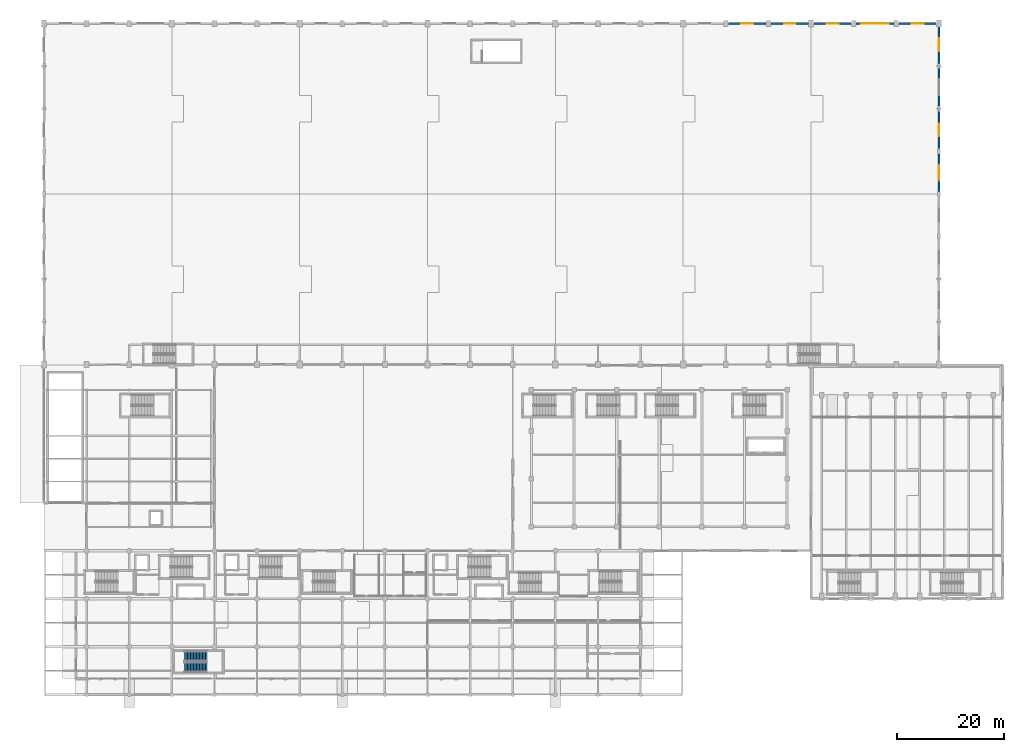
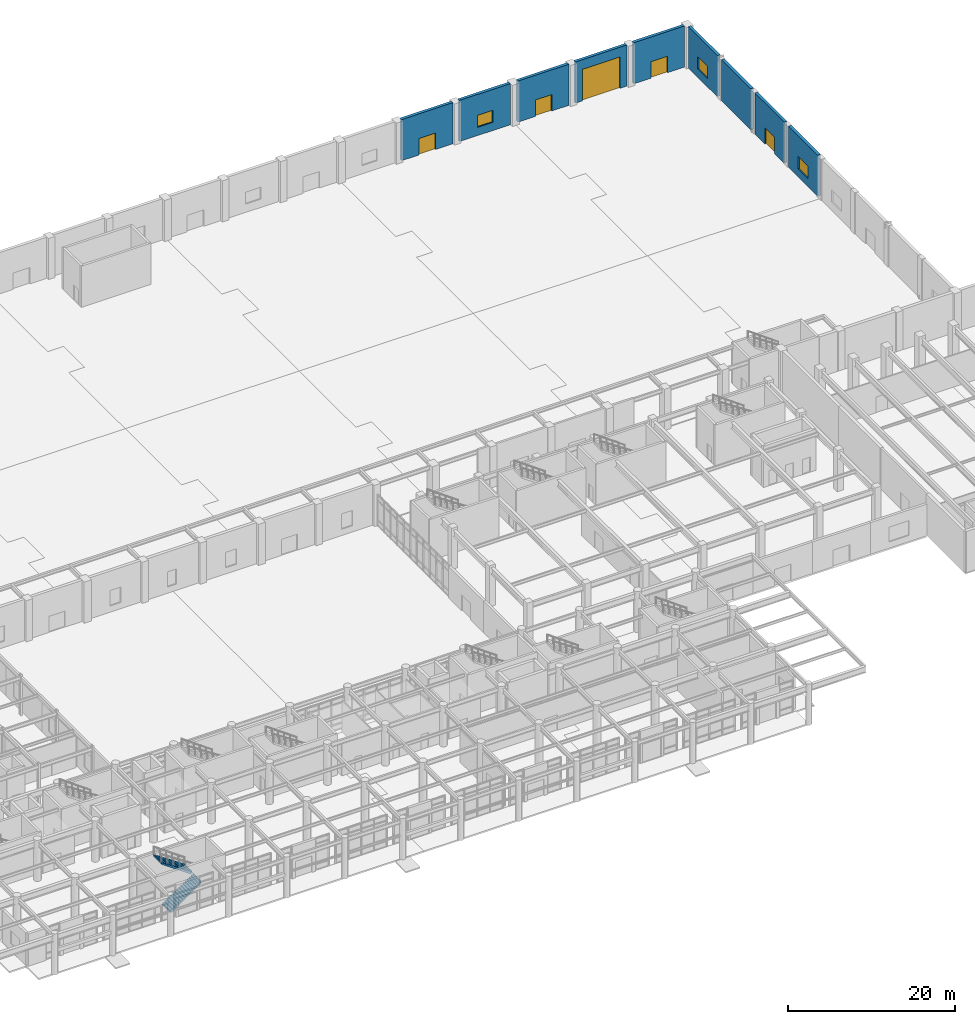
# One storey, part 37 of 49: 9 walls, 5 doors, 3 windows, 2 stair flights, 8 openings, 1 element without a shape of its own.
"""IFC4 building model written with IfcOpenShell, lengths in metres."""

from ifc_helpers import new_model, si_unit, direction, frame, frame_2d, origin, place, context, subcontext, project, spatial, polyline, rectangle, outline, extrude, material, layer, layer_set, type_object, element, fill, aggregate, save


model = new_model("IFC4")

# Units and contexts
model_context = context("Model", 3, precision=1e-05, world=origin(), true_north=direction((0.0, 1.0)))
body_context = subcontext(model_context, "Body", "Model", "MODEL_VIEW")
ifc_project = project(units=[si_unit("LENGTHUNIT", "METRE"), si_unit("AREAUNIT", "SQUARE_METRE"), si_unit("VOLUMEUNIT", "CUBIC_METRE"), si_unit("PLANEANGLEUNIT", "RADIAN"), si_unit("MASSUNIT", "GRAM", prefix="KILO")], contexts=[model_context])

# Site, building, storey
site_placement = place(None, origin())
site = spatial("IfcSite", under=ifc_project, at=site_placement, CompositionType="ELEMENT")
building_placement = place(site_placement, origin())
building = spatial("IfcBuilding", under=site, at=building_placement, Name="Tlacozan Convention Centre", CompositionType="ELEMENT")
storey_placement = place(building_placement, origin())
storey = spatial("IfcBuildingStorey", under=building, at=storey_placement, Name="L00", CompositionType="ELEMENT", Elevation=0.0)

# Wall, opening, door
ifc_material_1 = material(Name="Concrete C40/50", Category="concrete")
ifc_layer = layer(ifc_material_1, 0.39990234375)
ifc_layer_set = layer_set([ifc_layer], Name="Concrete C40/50")
wall_type = type_object("IfcWallType", Name="Cantera Structural Hall Wall 400", PredefinedType="SOLIDWALL", material=ifc_layer_set)
wall_1_placement = place(storey_placement, frame((128.465087890625, 126.0, 0.0), z_axis=(0.0, 0.0, 1.0), x_axis=(1.0, 0.0, 0.0)))
wall_1 = element("IfcWall", 1, at=wall_1_placement, inside=storey, type_object=wall_type, Name="L00 Cantera Structural Hall Wall 400 45", PredefinedType="SOLIDWALL", context=body_context, shape_type="SweptSolid", body=[
    extrude(rectangle(XDim=7.06982421875, YDim=0.39990234375, at=frame_2d((3.534912109375, 0.0))), origin(), (0.0, 0.0, 1.0), 6.0),
])
opening_1_placement = place(wall_1_placement, frame((2.39990234375, 0.0, 0.0)))
opening_1 = element("IfcOpeningElement", 2, at=opening_1_placement, cuts=wall_1, Name="Opening EX-D1", PredefinedType="OPENING", context=body_context, shape_type="SweptSolid", body=[
    extrude(rectangle(XDim=2.300048828125, YDim=2.39990234375, at=frame_2d((1.14990234375, 1.199951171875))), frame((0.0, 0.2099609375, 0.0), z_axis=(0.0, -1.0, 0.0), x_axis=(1.0, 0.0, 0.0)), (0.0, 0.0, 1.0), 0.419921875),
])
ifc_material_2 = material(Name="Thermally Broken Anodised Aluminium Door", Category="aluminium")
door_type_1 = type_object("IfcDoorType", Name="Pedestrian Final Exit Double Door 2300x2400", OperationType="DOUBLE_DOOR_SINGLE_SWING", PredefinedType="DOOR", material=ifc_material_2)
door_1_placement = place(opening_1_placement, origin())
door_1 = element("IfcDoor", 3, at=door_1_placement, inside=storey, type_object=door_type_1, Name="Final Pedestrian Exit EX-08", OperationType="DOUBLE_DOOR_SINGLE_SWING", OverallHeight=2.39990234375, OverallWidth=2.300048828125, PredefinedType="DOOR", context=body_context, shape_type="SweptSolid", body=[
    extrude(rectangle(XDim=2.300048828125, YDim=2.39990234375, at=frame_2d((1.14990234375, 1.199951171875))), frame((0.0, 0.02490234375, 0.0), z_axis=(0.0, -1.0, 0.0), x_axis=(1.0, 0.0, 0.0)), (0.0, 0.0, 1.0), 0.050048828125),
])
fill(opening_1, door_1)

# Wall, opening, window
wall_2_placement = place(storey_placement, frame((136.465087890625, 126.0, 0.0), z_axis=(0.0, 0.0, 1.0), x_axis=(1.0, 0.0, 0.0)))
wall_2 = element("IfcWall", 4, at=wall_2_placement, inside=storey, type_object=wall_type, Name="L00 Cantera Structural Hall Wall 400 47", PredefinedType="SOLIDWALL", context=body_context, shape_type="SweptSolid", body=[
    extrude(rectangle(XDim=7.02001953125, YDim=0.39990234375, at=frame_2d((3.510009765625, 0.0))), origin(), (0.0, 0.0, 1.0), 6.0),
])
opening_2_placement = place(wall_2_placement, frame((2.5, 0.0, 1.199951171875)))
opening_2 = element("IfcOpeningElement", 5, at=opening_2_placement, cuts=wall_2, Name="Opening WN-05", PredefinedType="OPENING", context=body_context, shape_type="SweptSolid", body=[
    extrude(rectangle(XDim=2.10009765625, YDim=1.75, at=frame_2d((1.050048828125, 0.875))), frame((0.0, 0.2099609375, 0.0), z_axis=(0.0, -1.0, 0.0), x_axis=(1.0, 0.0, 0.0)), (0.0, 0.0, 1.0), 0.419921875),
])
ifc_material_3 = material(Name="Solar Control Double Low-E Argon Glazing", Category="glass")
window_type_1 = type_object("IfcWindowType", Name="Exhibition Hall Gallery Window 2100x1750", PartitioningType="SINGLE_PANEL", PredefinedType="WINDOW", material=ifc_material_3)
window_1_placement = place(opening_2_placement, origin())
window_1 = element("IfcWindow", 6, at=window_1_placement, inside=storey, type_object=window_type_1, Name="L00 Exhibition Hall Gallery Window 2100x1750 18", OverallHeight=1.75, OverallWidth=2.10009765625, PartitioningType="SINGLE_PANEL", PredefinedType="WINDOW", context=body_context, shape_type="SweptSolid", body=[
    extrude(rectangle(XDim=2.10009765625, YDim=1.75, at=frame_2d((1.050048828125, 0.875))), frame((0.0, 0.030029296875, 0.0), z_axis=(0.0, -1.0, 0.0), x_axis=(1.0, 0.0, 0.0)), (0.0, 0.0, 1.0), 0.06005859375),
])
fill(opening_2, window_1)

# Wall, opening, door
wall_3_placement = place(storey_placement, frame((144.514892578125, 126.0, 0.0), z_axis=(0.0, 0.0, 1.0), x_axis=(1.0, 0.0, 0.0)))
wall_3 = element("IfcWall", 7, at=wall_3_placement, inside=storey, type_object=wall_type, Name="L00 Cantera Structural Hall Wall 400 49", PredefinedType="SOLIDWALL", context=body_context, shape_type="SweptSolid", body=[
    extrude(rectangle(XDim=7.02001953125, YDim=0.39990234375, at=frame_2d((3.510009765625, 0.0))), origin(), (0.0, 0.0, 1.0), 6.0),
])
opening_3_placement = place(wall_3_placement, frame((2.39990234375, 0.0, 0.0)))
opening_3 = element("IfcOpeningElement", 8, at=opening_3_placement, cuts=wall_3, Name="Opening EX-D1", PredefinedType="OPENING", context=body_context, shape_type="SweptSolid", body=[
    extrude(rectangle(XDim=2.300048828125, YDim=2.39990234375, at=frame_2d((1.14990234375, 1.199951171875))), frame((0.0, 0.2099609375, 0.0), z_axis=(0.0, -1.0, 0.0), x_axis=(1.0, 0.0, 0.0)), (0.0, 0.0, 1.0), 0.419921875),
])
door_2_placement = place(opening_3_placement, origin())
door_2 = element("IfcDoor", 9, at=door_2_placement, inside=storey, type_object=door_type_1, Name="Final Pedestrian Exit EX-09", OperationType="DOUBLE_DOOR_SINGLE_SWING", OverallHeight=2.39990234375, OverallWidth=2.300048828125, PredefinedType="DOOR", context=body_context, shape_type="SweptSolid", body=[
    extrude(rectangle(XDim=2.300048828125, YDim=2.39990234375, at=frame_2d((1.14990234375, 1.199951171875))), frame((0.0, 0.02490234375, 0.0), z_axis=(0.0, -1.0, 0.0), x_axis=(1.0, 0.0, 0.0)), (0.0, 0.0, 1.0), 0.050048828125),
])
fill(opening_3, door_2)

wall_4_placement = place(storey_placement, frame((152.465087890625, 126.0, 0.0), z_axis=(0.0, 0.0, 1.0), x_axis=(1.0, 0.0, 0.0)))
wall_4 = element("IfcWall", 10, at=wall_4_placement, inside=storey, type_object=wall_type, Name="L00 Cantera Structural Hall Wall 400 51", PredefinedType="SOLIDWALL", context=body_context, shape_type="SweptSolid", body=[
    extrude(rectangle(XDim=7.06982421875, YDim=0.39990234375, at=frame_2d((3.534912109375, 0.0))), origin(), (0.0, 0.0, 1.0), 6.0),
])
opening_4_placement = place(wall_4_placement, frame((0.949951171875, 0.0, 0.0)))
opening_4 = element("IfcOpeningElement", 11, at=opening_4_placement, cuts=wall_4, Name="Opening FG-02", PredefinedType="OPENING", context=body_context, shape_type="SweptSolid", body=[
    extrude(rectangle(XDim=5.199951171875, YDim=4.60009765625, at=frame_2d((2.60009765625, 2.300048828125))), frame((0.0, 0.2099609375, 0.0), z_axis=(0.0, -1.0, 0.0), x_axis=(1.0, 0.0, 0.0)), (0.0, 0.0, 1.0), 0.419921875),
])
ifc_material_4 = material(Name="Insulated Galvanised Roller Shutter Leaf")
door_type_2 = type_object("IfcDoorType", Name="Exhibition Oversize Freight Gate 5200x4600", OperationType="ROLLINGUP", PredefinedType="GATE", material=ifc_material_4)
door_3_placement = place(opening_4_placement, origin())
door_3 = element("IfcDoor", 12, at=door_3_placement, inside=storey, type_object=door_type_2, Name="L00 Exhibition Oversize Freight Gate 5200x4600 2", OperationType="ROLLINGUP", OverallHeight=4.60009765625, OverallWidth=5.199951171875, PredefinedType="GATE", context=body_context, shape_type="SweptSolid", body=[
    extrude(rectangle(XDim=5.199951171875, YDim=4.60009765625, at=frame_2d((2.60009765625, 2.300048828125))), frame((0.0, 0.02490234375, 0.0), z_axis=(0.0, -1.0, 0.0), x_axis=(1.0, 0.0, 0.0)), (0.0, 0.0, 1.0), 0.050048828125),
])
fill(opening_4, door_3)

wall_5_placement = place(storey_placement, frame((160.465087890625, 126.0, 0.0), z_axis=(0.0, 0.0, 1.0), x_axis=(1.0, 0.0, 0.0)))
wall_5 = element("IfcWall", 13, at=wall_5_placement, inside=storey, type_object=wall_type, Name="L00 Cantera Structural Hall Wall 400 53", PredefinedType="SOLIDWALL", context=body_context, shape_type="SweptSolid", body=[
    extrude(rectangle(XDim=7.02001953125, YDim=0.39990234375, at=frame_2d((3.510009765625, 0.0))), origin(), (0.0, 0.0, 1.0), 6.0),
])
opening_5_placement = place(wall_5_placement, frame((2.39990234375, 0.0, 0.0)))
opening_5 = element("IfcOpeningElement", 14, at=opening_5_placement, cuts=wall_5, Name="Opening EX-D1", PredefinedType="OPENING", context=body_context, shape_type="SweptSolid", body=[
    extrude(rectangle(XDim=2.300048828125, YDim=2.39990234375, at=frame_2d((1.14990234375, 1.199951171875))), frame((0.0, 0.2099609375, 0.0), z_axis=(0.0, -1.0, 0.0), x_axis=(1.0, 0.0, 0.0)), (0.0, 0.0, 1.0), 0.419921875),
])
door_4_placement = place(opening_5_placement, origin())
door_4 = element("IfcDoor", 15, at=door_4_placement, inside=storey, type_object=door_type_1, Name="Final Pedestrian Exit EX-10", OperationType="DOUBLE_DOOR_SINGLE_SWING", OverallHeight=2.39990234375, OverallWidth=2.300048828125, PredefinedType="DOOR", context=body_context, shape_type="SweptSolid", body=[
    extrude(rectangle(XDim=2.300048828125, YDim=2.39990234375, at=frame_2d((1.14990234375, 1.199951171875))), frame((0.0, 0.02490234375, 0.0), z_axis=(0.0, -1.0, 0.0), x_axis=(1.0, 0.0, 0.0)), (0.0, 0.0, 1.0), 0.050048828125),
])
fill(opening_5, door_4)

# Wall, opening, window
wall_6_placement = place(storey_placement, frame((168.0, 94.5, 0.0), z_axis=(0.0, 0.0, 1.0), x_axis=(0.0, 1.0, 0.0)))
wall_6 = element("IfcWall", 16, at=wall_6_placement, inside=storey, type_object=wall_type, Name="L00 Cantera Structural Hall Wall 400 79", PredefinedType="SOLIDWALL", context=body_context, shape_type="SweptSolid", body=[
    extrude(rectangle(XDim=7.0, YDim=0.39990234375, at=frame_2d((3.5, 0.0))), origin(), (0.0, 0.0, 1.0), 6.0),
])
opening_6_placement = place(wall_6_placement, frame((2.300048828125, 0.0, 1.199951171875)))
opening_6 = element("IfcOpeningElement", 17, at=opening_6_placement, cuts=wall_6, Name="Opening WN-04", PredefinedType="OPENING", context=body_context, shape_type="SweptSolid", body=[
    extrude(rectangle(XDim=2.39990234375, YDim=1.800048828125, at=frame_2d((1.199951171875, 0.89990234375))), frame((0.0, 0.2099609375, 0.0), z_axis=(0.0, -1.0, 0.0), x_axis=(1.0, 0.0, 0.0)), (0.0, 0.0, 1.0), 0.419921875),
])
window_type_2 = type_object("IfcWindowType", Name="Exhibition Gable Vision Window 2400x1800", PartitioningType="SINGLE_PANEL", PredefinedType="WINDOW", material=ifc_material_3)
window_2_placement = place(opening_6_placement, origin())
window_2 = element("IfcWindow", 18, at=window_2_placement, inside=storey, type_object=window_type_2, Name="L00 Exhibition Gable Vision Window 2400x1800 36", OverallHeight=1.800048828125, OverallWidth=2.39990234375, PartitioningType="SINGLE_PANEL", PredefinedType="WINDOW", context=body_context, shape_type="SweptSolid", body=[
    extrude(rectangle(XDim=2.39990234375, YDim=1.800048828125, at=frame_2d((1.199951171875, 0.89990234375))), frame((0.0, 0.030029296875, 0.0), z_axis=(0.0, -1.0, 0.0), x_axis=(1.0, 0.0, 0.0)), (0.0, 0.0, 1.0), 0.06005859375),
])
fill(opening_6, window_2)

# Wall, opening, door
wall_7_placement = place(storey_placement, frame((168.0, 102.5, 0.0), z_axis=(0.0, 0.0, 1.0), x_axis=(0.0, 1.0, 0.0)))
wall_7 = element("IfcWall", 19, at=wall_7_placement, inside=storey, type_object=wall_type, Name="L00 Cantera Structural Hall Wall 400 81", PredefinedType="SOLIDWALL", context=body_context, shape_type="SweptSolid", body=[
    extrude(rectangle(XDim=7.0, YDim=0.39990234375, at=frame_2d((3.5, 0.0))), origin(), (0.0, 0.0, 1.0), 6.0),
])
opening_7_placement = place(wall_7_placement, frame((2.35009765625, 0.0, 0.0)))
opening_7 = element("IfcOpeningElement", 20, at=opening_7_placement, cuts=wall_7, Name="Opening EX-D1", PredefinedType="OPENING", context=body_context, shape_type="SweptSolid", body=[
    extrude(rectangle(XDim=2.300048828125, YDim=2.39990234375, at=frame_2d((1.14990234375, 1.199951171875))), frame((0.0, 0.2099609375, 0.0), z_axis=(0.0, -1.0, 0.0), x_axis=(1.0, 0.0, 0.0)), (0.0, 0.0, 1.0), 0.419921875),
])
door_5_placement = place(opening_7_placement, frame((2.300048828125, 0.0, 0.0), z_axis=(0.0, 0.0, 1.0), x_axis=(-1.0, 0.0, 0.0)))
door_5 = element("IfcDoor", 21, at=door_5_placement, inside=storey, type_object=door_type_1, Name="Final Pedestrian Exit EX-14", OperationType="DOUBLE_DOOR_SINGLE_SWING", OverallHeight=2.39990234375, OverallWidth=2.300048828125, PredefinedType="DOOR", context=body_context, shape_type="SweptSolid", body=[
    extrude(rectangle(XDim=2.300048828125, YDim=2.39990234375, at=frame_2d((1.14990234375, 1.199951171875))), frame((0.0, 0.02490234375, 0.0), z_axis=(0.0, -1.0, 0.0), x_axis=(1.0, 0.0, 0.0)), (0.0, 0.0, 1.0), 0.050048828125),
])
fill(opening_7, door_5)

# Wall
wall_8_placement = place(storey_placement, frame((168.0, 110.5, 0.0), z_axis=(0.0, 0.0, 1.0), x_axis=(0.0, 1.0, 0.0)))
element("IfcWall", 22, at=wall_8_placement, inside=storey, type_object=wall_type, Name="L00 Cantera Structural Hall Wall 400 83", PredefinedType="SOLIDWALL", context=body_context, shape_type="SweptSolid", body=[
    extrude(rectangle(XDim=7.0, YDim=0.39990234375, at=frame_2d((3.5, 0.0))), origin(), (0.0, 0.0, 1.0), 6.0),
])

# Wall, opening, window
wall_9_placement = place(storey_placement, frame((168.0, 118.5, 0.0), z_axis=(0.0, 0.0, 1.0), x_axis=(0.0, 1.0, 0.0)))
wall_9 = element("IfcWall", 23, at=wall_9_placement, inside=storey, type_object=wall_type, Name="L00 Cantera Structural Hall Wall 400 85", PredefinedType="SOLIDWALL", context=body_context, shape_type="SweptSolid", body=[
    extrude(rectangle(XDim=7.0, YDim=0.39990234375, at=frame_2d((3.5, 0.0))), origin(), (0.0, 0.0, 1.0), 6.0),
])
opening_8_placement = place(wall_9_placement, frame((2.300048828125, 0.0, 1.199951171875)))
opening_8 = element("IfcOpeningElement", 24, at=opening_8_placement, cuts=wall_9, Name="Opening WN-04", PredefinedType="OPENING", context=body_context, shape_type="SweptSolid", body=[
    extrude(rectangle(XDim=2.39990234375, YDim=1.800048828125, at=frame_2d((1.199951171875, 0.89990234375))), frame((0.0, 0.2099609375, 0.0), z_axis=(0.0, -1.0, 0.0), x_axis=(1.0, 0.0, 0.0)), (0.0, 0.0, 1.0), 0.419921875),
])
window_3_placement = place(opening_8_placement, origin())
window_3 = element("IfcWindow", 25, at=window_3_placement, inside=storey, type_object=window_type_2, Name="L00 Exhibition Gable Vision Window 2400x1800 39", OverallHeight=1.800048828125, OverallWidth=2.39990234375, PartitioningType="SINGLE_PANEL", PredefinedType="WINDOW", context=body_context, shape_type="SweptSolid", body=[
    extrude(rectangle(XDim=2.39990234375, YDim=1.800048828125, at=frame_2d((1.199951171875, 0.89990234375))), frame((0.0, 0.030029296875, 0.0), z_axis=(0.0, -1.0, 0.0), x_axis=(1.0, 0.0, 0.0)), (0.0, 0.0, 1.0), 0.06005859375),
])
fill(opening_8, window_3)

# Stair, stair flights
stair_type = type_object("IfcStairType", Name="Protected Dogleg Stair W188 H60", PredefinedType="HALF_TURN_STAIR", material=ifc_material_1)
stair_placement = place(storey_placement, origin())
stair = element("IfcStair", 26, at=stair_placement, inside=storey, type_object=stair_type, Name="L00 West Concourse Grand Stair", PredefinedType="HALF_TURN_STAIR")
stair_flight_type = type_object("IfcStairFlightType", Name="Concrete Stair Flight W188 H60", PredefinedType="STRAIGHT", material=ifc_material_1)
stair_flight_1_placement = place(storey_placement, frame((26.3798828125, 5.139892578125, 0.0), z_axis=(0.0, 0.0, 1.0), x_axis=(1.0, 0.0, 0.0)))
stair_flight_1 = element("IfcStairFlight", 27, at=stair_flight_1_placement, type_object=stair_flight_type, Name="ST-16 flight 1", NumberOfRisers=16, NumberOfTreads=15, PredefinedType="STRAIGHT", RiserHeight=0.1875, TreadLength=0.28, context=body_context, shape_type="SweptSolid", body=[
    extrude(outline(polyline([(-0.044921875, -0.14990234375), (-0.044921875, 0.0), (0.0, 0.0), (0.0, 0.1875), (0.280029296875, 0.1875), (0.280029296875, 0.375), (0.56005859375, 0.375), (0.56005859375, 0.5625), (0.840087890625, 0.5625), (0.840087890625, 0.75), (1.1201171875, 0.75), (1.1201171875, 0.9375), (1.39990234375, 0.9375), (1.39990234375, 1.125), (1.679931640625, 1.125), (1.679931640625, 1.3125), (1.9599609375, 1.3125), (1.9599609375, 1.5), (2.239990234375, 1.5), (2.239990234375, 1.6875), (2.52001953125, 1.6875), (2.52001953125, 1.875), (2.800048828125, 1.875), (2.800048828125, 2.0625), (3.080078125, 2.0625), (3.080078125, 2.25), (3.360107421875, 2.25), (3.360107421875, 2.4375), (3.639892578125, 2.4375), (3.639892578125, 2.625), (3.919921875, 2.625), (3.919921875, 2.8125), (4.199951171875, 2.8125), (4.199951171875, 3.0), (4.244873046875, 3.0), (4.244873046875, 2.85009765625), (4.199951171875, 2.632080078125), (0.26953125, -0.14990234375), (-0.044921875, -0.14990234375)])), frame((0.0, 0.93994140625, 0.0), z_axis=(0.0, -1.0, 0.0), x_axis=(1.0, 0.0, 0.0)), (0.0, 0.0, 1.0), 1.8798828125),
])
stair_flight_2_placement = place(storey_placement, frame((30.580078125, 7.219970703125, 3.0), z_axis=(0.0, 0.0, 1.0), x_axis=(-1.0, 0.0, 0.0)))
stair_flight_2 = element("IfcStairFlight", 28, at=stair_flight_2_placement, type_object=stair_flight_type, Name="ST-16 flight 2", NumberOfRisers=16, NumberOfTreads=15, PredefinedType="STRAIGHT", RiserHeight=0.1875, TreadLength=0.28, context=body_context, shape_type="SweptSolid", body=[
    extrude(outline(polyline([(-0.044921875, -0.14990234375), (-0.044921875, 0.0), (0.0, 0.0), (0.0, 0.1875), (0.280029296875, 0.1875), (0.280029296875, 0.375), (0.56005859375, 0.375), (0.56005859375, 0.5625), (0.840087890625, 0.5625), (0.840087890625, 0.75), (1.1201171875, 0.75), (1.1201171875, 0.9375), (1.39990234375, 0.9375), (1.39990234375, 1.125), (1.679931640625, 1.125), (1.679931640625, 1.3125), (1.9599609375, 1.3125), (1.9599609375, 1.5), (2.239990234375, 1.5), (2.239990234375, 1.6875), (2.52001953125, 1.6875), (2.52001953125, 1.875), (2.800048828125, 1.875), (2.800048828125, 2.0625), (3.080078125, 2.0625), (3.080078125, 2.25), (3.360107421875, 2.25), (3.360107421875, 2.4375), (3.639892578125, 2.4375), (3.639892578125, 2.625), (3.919921875, 2.625), (3.919921875, 2.8125), (4.199951171875, 2.8125), (4.199951171875, 3.0), (4.244873046875, 3.0), (4.244873046875, 2.85009765625), (4.199951171875, 2.632080078125), (0.26953125, -0.14990234375), (-0.044921875, -0.14990234375)])), frame((0.0, 0.93994140625, 0.0), z_axis=(0.0, -1.0, 0.0), x_axis=(1.0, 0.0, 0.0)), (0.0, 0.0, 1.0), 1.8798828125),
])
aggregate(stair, [stair_flight_1, stair_flight_2])

save(model, "model.ifc")
